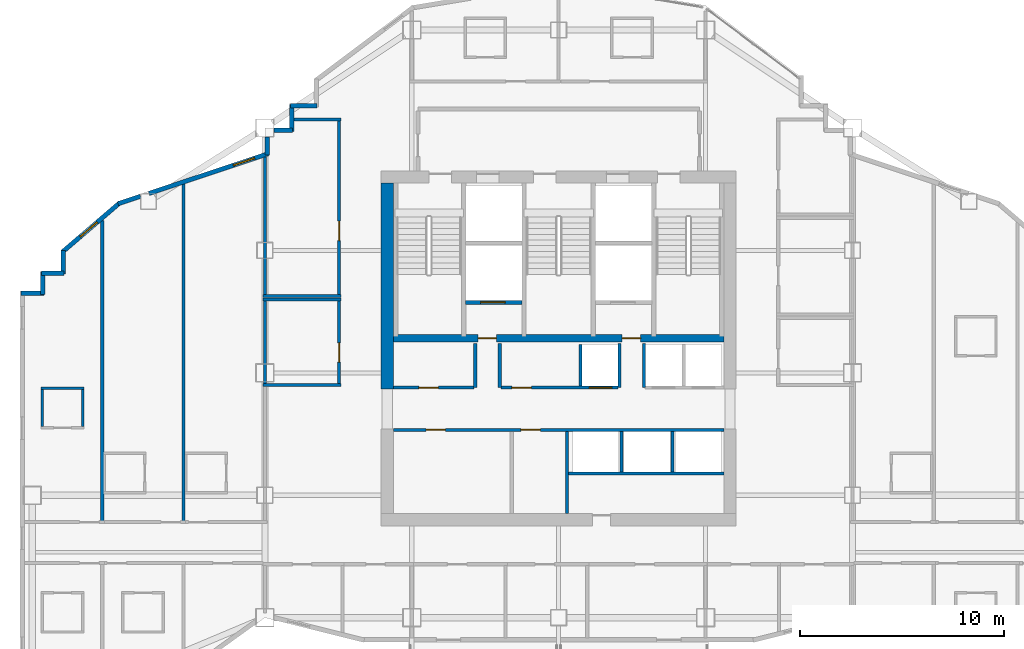
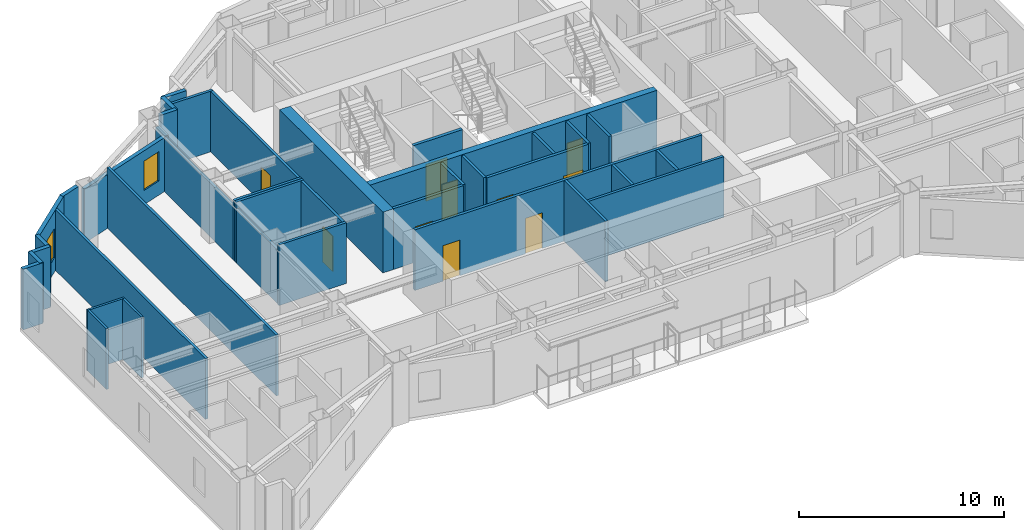
# One storey, part 6 of 11: 39 walls, 10 doors, 2 windows, 12 openings.
"""IFC4 building model written with IfcOpenShell, lengths in metres."""

from ifc_helpers import new_model, si_unit, direction, frame, frame_2d, origin, place, context, subcontext, project, spatial, rectangle, extrude, material, layer, layer_set, type_object, element, fill, save


model = new_model("IFC4")

# Units and contexts
model_context = context("Model", 3, precision=1e-05, world=origin(), true_north=direction((0.0, 1.0)))
body_context = subcontext(model_context, "Body", "Model", "MODEL_VIEW")
ifc_project = project(units=[si_unit("LENGTHUNIT", "METRE"), si_unit("AREAUNIT", "SQUARE_METRE"), si_unit("VOLUMEUNIT", "CUBIC_METRE"), si_unit("PLANEANGLEUNIT", "RADIAN"), si_unit("MASSUNIT", "GRAM", prefix="KILO")], contexts=[model_context])

# Site, building, storey
site_placement = place(None, origin())
site = spatial("IfcSite", under=ifc_project, at=site_placement, CompositionType="ELEMENT")
building_placement = place(site_placement, origin())
building = spatial("IfcBuilding", under=site, at=building_placement, Name="Haolan Belvedere Tower", CompositionType="ELEMENT")
storey_placement = place(building_placement, frame((0.0, 0.0, 191.800048828125)))
storey = spatial("IfcBuildingStorey", under=building, at=storey_placement, Name="L48", CompositionType="ELEMENT", Elevation=191.800048828125)

# Walls
ifc_material_1 = material(Name="Concrete C60/75", Category="concrete")
ifc_layer_1 = layer(ifc_material_1, 0.60009765625, Name="Concrete C60/75")
ifc_layer_set_1 = layer_set([ifc_layer_1], Name="Concrete C60/75")
wall_type_1 = type_object("IfcWallType", Name="WL-CORE-600", PredefinedType="SHEAR", material=ifc_layer_set_1)
wall_1_placement = place(storey_placement, frame((30.0, 32.800048828125, 0.0), z_axis=(0.0, 0.0, 1.0), x_axis=(0.0, 1.0, 0.0)))
element("IfcWall", 1, at=wall_1_placement, inside=storey, type_object=wall_type_1, Name="L48 central core shear wall WN", PredefinedType="SHEAR", context=body_context, shape_type="SweptSolid", body=[
    extrude(rectangle(XDim=10.099853515625, YDim=0.60009765625, at=frame_2d((5.0498046875, 0.0))), origin(), (0.0, 0.0, 1.0), 3.619873046875),
])
ifc_material_2 = material(Name="Precast concrete C40/50", Category="concrete")
ifc_layer_2 = layer(ifc_material_2, 0.219970703125, Name="Precast concrete C40/50")
ifc_layer_set_2 = layer_set([ifc_layer_2], Name="Precast concrete C40/50")
wall_type_2 = type_object("IfcWallType", Name="WL-EXT-220", PredefinedType="SOLIDWALL", material=ifc_layer_set_2)
for number, where, z_axis, x_axis, name in (
    (2, (26.56494140625, 46.68994140625, 0.0), (0.0, 0.0, 1.0), (-1.0, 0.0, 0.0), "L48 pale-metal exterior spandrel wall 25.1"),
    (3, (25.31005859375, 46.7451171875, 0.0), (0.0, 0.0, 1.0), (0.0, -1.0, 0.0), "L48 pale-metal exterior spandrel wall 26.1"),
):
    element("IfcWall", number, at=place(storey_placement, frame(where, z_axis=z_axis, x_axis=x_axis)), inside=storey, type_object=wall_type_2, Name=name, PredefinedType="SOLIDWALL", context=body_context, shape_type="SweptSolid", body=[
        extrude(rectangle(XDim=1.31005859375, YDim=0.219970703125, at=frame_2d((0.655029296875, 0.0))), origin(), (0.0, 0.0, 1.0), 3.619873046875),
    ])
wall_2_placement = place(storey_placement, frame((25.364990234375, 45.489990234375, 0.0), z_axis=(0.0, 0.0, 1.0), x_axis=(-1.0, 0.0, 0.0)))
element("IfcWall", 4, at=wall_2_placement, inside=storey, type_object=wall_type_2, Name="L48 pale-metal exterior spandrel wall 27.1", PredefinedType="SOLIDWALL", context=body_context, shape_type="SweptSolid", body=[
    extrude(rectangle(XDim=0.923095703125, YDim=0.219970703125, at=frame_2d((0.46142578125, 0.0))), origin(), (0.0, 0.0, 1.0), 3.619873046875),
])
wall_3_placement = place(storey_placement, frame((24.110107421875, 45.157958984375, 0.0), z_axis=(0.0, 0.0, 1.0), x_axis=(0.0, -1.0, 0.0)))
element("IfcWall", 5, at=wall_3_placement, inside=storey, type_object=wall_type_2, Name="L48 pale-metal exterior spandrel wall 28.1", PredefinedType="SOLIDWALL", context=body_context, shape_type="SweptSolid", body=[
    extrude(rectangle(XDim=0.892333984375, YDim=0.219970703125, at=frame_2d((0.4462890625, 0.0))), origin(), (0.0, 0.0, 1.0), 3.21484375),
])

# Wall, opening, window
wall_4_placement = place(storey_placement, frame((24.162109375, 44.338134765625, 0.0), z_axis=(0.0, 0.0, 1.0), x_axis=(-0.948687265055, -0.316215864755, 0.0)))
wall_4 = element("IfcWall", 6, at=wall_4_placement, inside=storey, type_object=wall_type_2, Name="L48 pale-metal exterior spandrel wall 29.1", PredefinedType="SOLIDWALL", context=body_context, shape_type="SweptSolid", body=[
    extrude(rectangle(XDim=6.154052734375, YDim=0.219970703125, at=frame_2d((3.0771484375, 0.0))), origin(), (0.0, 0.0, 1.0), 3.21484375),
])
opening_1_placement = place(wall_4_placement, frame((0.699951171875, 0.0, 0.85009765625)))
opening_1 = element("IfcOpeningElement", 7, at=opening_1_placement, cuts=wall_4, Name="Opening W-03", PredefinedType="OPENING", context=body_context, shape_type="SweptSolid", body=[
    extrude(rectangle(XDim=1.10009765625, YDim=1.75, at=frame_2d((0.550048828125, 0.875))), frame((0.0, 0.119873046875, 0.0), z_axis=(0.0, -1.0, 0.0), x_axis=(1.0, 0.0, 0.0)), (0.0, 0.0, 1.0), 0.239990234375),
])
ifc_material_3 = material(Name="Anodised aluminium 6063-T6 and Low-E glass", Category="aluminium")
window_type = type_object("IfcWindowType", Name="WN-DECO-Z3", PartitioningType="SINGLE_PANEL", PredefinedType="WINDOW", material=ifc_material_3)
window_1_placement = place(opening_1_placement, origin())
window_1 = element("IfcWindow", 8, at=window_1_placement, inside=storey, type_object=window_type, Name="L48 Art Deco chevron window 1", OverallHeight=1.75, OverallWidth=1.10009765625, PartitioningType="SINGLE_PANEL", PredefinedType="WINDOW", context=body_context, shape_type="SweptSolid", body=[
    extrude(rectangle(XDim=1.10009765625, YDim=1.75, at=frame_2d((0.550048828125, 0.875))), frame((0.0, 0.030029296875, 0.0), z_axis=(0.0, -1.0, 0.0), x_axis=(1.0, 0.0, 0.0)), (0.0, 0.0, 1.0), 0.06005859375),
])
fill(opening_1, window_1)

# Wall
wall_5_placement = place(storey_placement, frame((17.907958984375, 42.25341796875, 0.0), z_axis=(0.0, 0.0, 1.0), x_axis=(-0.948662335685, -0.316290646166, 0.0)))
element("IfcWall", 9, at=wall_5_placement, inside=storey, type_object=wall_type_2, Name="L48 pale-metal exterior spandrel wall 29.2", PredefinedType="SOLIDWALL", context=body_context, shape_type="SweptSolid", body=[
    extrude(rectangle(XDim=1.164794921875, YDim=0.219970703125, at=frame_2d((0.58251953125, 0.0))), origin(), (0.0, 0.0, 1.0), 3.619873046875),
])

# Wall, opening, window
wall_6_placement = place(storey_placement, frame((16.89697265625, 41.938232421875, 0.0), z_axis=(0.0, 0.0, 1.0), x_axis=(-0.759279729622, -0.650764390686, 0.0)))
wall_6 = element("IfcWall", 10, at=wall_6_placement, inside=storey, type_object=wall_type_2, Name="L48 pale-metal exterior spandrel wall 30.1", PredefinedType="SOLIDWALL", context=body_context, shape_type="SweptSolid", body=[
    extrude(rectangle(XDim=3.725830078125, YDim=0.219970703125, at=frame_2d((1.86279296875, 0.0))), origin(), (0.0, 0.0, 1.0), 3.619873046875),
])
opening_2_placement = place(wall_6_placement, frame((1.46435546875, 0.0, 0.85009765625)))
opening_2 = element("IfcOpeningElement", 11, at=opening_2_placement, cuts=wall_6, Name="Opening W-03", PredefinedType="OPENING", context=body_context, shape_type="SweptSolid", body=[
    extrude(rectangle(XDim=1.10009765625, YDim=1.75, at=frame_2d((0.550048828125, 0.875))), frame((0.0, 0.119873046875, 0.0), z_axis=(0.0, -1.0, 0.0), x_axis=(1.0, 0.0, 0.0)), (0.0, 0.0, 1.0), 0.239990234375),
])
window_2_placement = place(opening_2_placement, origin())
window_2 = element("IfcWindow", 12, at=window_2_placement, inside=storey, type_object=window_type, Name="L48 Art Deco chevron window 1", OverallHeight=1.75, OverallWidth=1.10009765625, PartitioningType="SINGLE_PANEL", PredefinedType="WINDOW", context=body_context, shape_type="SweptSolid", body=[
    extrude(rectangle(XDim=1.10009765625, YDim=1.75, at=frame_2d((0.550048828125, 0.875))), frame((0.0, 0.030029296875, 0.0), z_axis=(0.0, -1.0, 0.0), x_axis=(1.0, 0.0, 0.0)), (0.0, 0.0, 1.0), 0.06005859375),
])
fill(opening_2, window_2)

# Walls
wall_7_placement = place(storey_placement, frame((14.110107421875, 39.6044921875, 0.0), z_axis=(0.0, 0.0, 1.0), x_axis=(0.0, -1.0, 0.0)))
element("IfcWall", 13, at=wall_7_placement, inside=storey, type_object=wall_type_2, Name="L48 pale-metal exterior spandrel wall 31.1", PredefinedType="SOLIDWALL", context=body_context, shape_type="SweptSolid", body=[
    extrude(rectangle(XDim=1.16943359375, YDim=0.219970703125, at=frame_2d((0.584716796875, 0.0))), origin(), (0.0, 0.0, 1.0), 3.619873046875),
])
wall_8_placement = place(storey_placement, frame((14.1650390625, 38.489990234375, 0.0), z_axis=(0.0, 0.0, 1.0), x_axis=(-1.0, 0.0, 0.0)))
element("IfcWall", 14, at=wall_8_placement, inside=storey, type_object=wall_type_2, Name="L48 pale-metal exterior spandrel wall 32.1", PredefinedType="SOLIDWALL", context=body_context, shape_type="SweptSolid", body=[
    extrude(rectangle(XDim=1.110107421875, YDim=0.219970703125, at=frame_2d((0.55517578125, 0.0))), origin(), (0.0, 0.0, 1.0), 3.619873046875),
])
wall_9_placement = place(storey_placement, frame((13.110107421875, 38.544921875, 0.0), z_axis=(0.0, 0.0, 1.0), x_axis=(0.0, -1.0, 0.0)))
element("IfcWall", 15, at=wall_9_placement, inside=storey, type_object=wall_type_2, Name="L48 pale-metal exterior spandrel wall 33.1", PredefinedType="SOLIDWALL", context=body_context, shape_type="SweptSolid", body=[
    extrude(rectangle(XDim=1.10986328125, YDim=0.219970703125, at=frame_2d((0.554931640625, 0.0))), origin(), (0.0, 0.0, 1.0), 3.619873046875),
])
wall_10_placement = place(storey_placement, frame((13.1650390625, 37.489990234375, 0.0), z_axis=(0.0, 0.0, 1.0), x_axis=(-1.0, 0.0, 0.0)))
element("IfcWall", 16, at=wall_10_placement, inside=storey, type_object=wall_type_2, Name="L48 pale-metal exterior spandrel wall 34.1", PredefinedType="SOLIDWALL", context=body_context, shape_type="SweptSolid", body=[
    extrude(rectangle(XDim=1.110107421875, YDim=0.219970703125, at=frame_2d((0.55517578125, 0.0))), origin(), (0.0, 0.0, 1.0), 3.619873046875),
])
ifc_material_4 = material(Name="Double gypsum acoustic stud partition", Category="masonry")
ifc_layer_3 = layer(ifc_material_4, 0.14990234375, Name="Double gypsum acoustic stud partition")
ifc_layer_set_3 = layer_set([ifc_layer_3], Name="Double gypsum acoustic stud partition")
wall_type_3 = type_object("IfcWallType", Name="WL-PART-150", PredefinedType="PARTITIONING", material=ifc_layer_set_3)
wall_11_placement = place(storey_placement, frame((38.860107421875, 28.659912109375, 0.0), z_axis=(0.0, 0.0, 1.0), x_axis=(1.0, 0.0, 0.0)))
element("IfcWall", 17, at=wall_11_placement, inside=storey, type_object=wall_type_3, Name="L48 interior partition IW-L48-SSTRIP-E", PredefinedType="PARTITIONING", context=body_context, shape_type="SweptSolid", body=[
    extrude(rectangle(XDim=7.639892578125, YDim=0.14990234375, at=frame_2d((3.81982421875, 0.0))), origin(), (0.0, 0.0, 1.0), 3.619873046875),
])
for number, where, z_axis, x_axis, name in (
    (18, (23.919921875, 37.199951171875, 0.0), (0.0, 0.0, 1.0), (1.0, 0.0, 0.0), "L48 interior partition IW-L48-HSK-N"),
    (19, (23.919921875, 33.0, 0.0), (0.0, 0.0, 1.0), (1.0, 0.0, 0.0), "L48 interior partition IW-L48-HSK-S"),
):
    element("IfcWall", number, at=place(storey_placement, frame(where, z_axis=z_axis, x_axis=x_axis)), inside=storey, type_object=wall_type_3, Name=name, PredefinedType="PARTITIONING", context=body_context, shape_type="SweptSolid", body=[
        extrude(rectangle(XDim=3.800048828125, YDim=0.14990234375, at=frame_2d((1.89990234375, 0.0))), origin(), (0.0, 0.0, 1.0), 3.619873046875),
    ])
wall_12_placement = place(storey_placement, frame((24.0, 33.06005859375, 0.0), z_axis=(0.0, 0.0, 1.0), x_axis=(0.0, 1.0, 0.0)))
element("IfcWall", 20, at=wall_12_placement, inside=storey, type_object=wall_type_3, Name="L48 interior partition IW-L48-HSK-W", PredefinedType="PARTITIONING", context=body_context, shape_type="SweptSolid", body=[
    extrude(rectangle(XDim=4.079833984375, YDim=0.14990234375, at=frame_2d((2.0400390625, 0.0))), origin(), (0.0, 0.0, 1.0), 3.21484375),
])

# Wall, opening, door
wall_13_placement = place(storey_placement, frame((27.639892578125, 33.06005859375, 0.0), z_axis=(0.0, 0.0, 1.0), x_axis=(0.0, 1.0, 0.0)))
wall_13 = element("IfcWall", 21, at=wall_13_placement, inside=storey, type_object=wall_type_3, Name="L48 interior partition IW-L48-HSK-E", PredefinedType="PARTITIONING", context=body_context, shape_type="SweptSolid", body=[
    extrude(rectangle(XDim=4.079833984375, YDim=0.14990234375, at=frame_2d((2.0400390625, 0.0))), origin(), (0.0, 0.0, 1.0), 3.619873046875),
])
opening_3_placement = place(wall_13_placement, frame((2.010009765625, 0.0, 0.0), z_axis=(0.0, 0.0, 1.0), x_axis=(-1.0, 0.0, 0.0)))
opening_3 = element("IfcOpeningElement", 22, at=opening_3_placement, cuts=wall_13, Name="Opening ID-03", PredefinedType="OPENING", context=body_context, shape_type="SweptSolid", body=[
    extrude(rectangle(XDim=0.949951171875, YDim=2.1201171875, at=frame_2d((0.47509765625, 1.06005859375))), frame((0.0, 0.0849609375, 0.0), z_axis=(0.0, -1.0, 0.0), x_axis=(1.0, 0.0, 0.0)), (0.0, 0.0, 1.0), 0.169921875),
])
ifc_material_5 = material(Name="Painted solid-core timber", Category="wood")
door_type_1 = type_object("IfcDoorType", Name="DR-INT-950", OperationType="NOTDEFINED", PredefinedType="DOOR", material=ifc_material_5)
door_1_placement = place(opening_3_placement, origin())
door_1 = element("IfcDoor", 23, at=door_1_placement, inside=storey, type_object=door_type_1, Name="L48 door ID-L48-HSK", OperationType="SINGLE_SWING_LEFT", OverallHeight=2.1201171875, OverallWidth=0.949951171875, PredefinedType="DOOR", context=body_context, shape_type="SweptSolid", body=[
    extrude(rectangle(XDim=0.949951171875, YDim=2.1201171875, at=frame_2d((0.47509765625, 1.06005859375))), frame((0.0, 0.02490234375, 0.0), z_axis=(0.0, -1.0, 0.0), x_axis=(1.0, 0.0, 0.0)), (0.0, 0.0, 1.0), 0.050048828125),
])
fill(opening_3, door_1)

# Walls
wall_14_placement = place(storey_placement, frame((25.412109375, 46.02001953125, 0.0), z_axis=(0.0, 0.0, 1.0), x_axis=(1.0, 0.0, 0.0)))
element("IfcWall", 24, at=wall_14_placement, inside=storey, type_object=wall_type_3, Name="L48 interior partition IW-L48-MTG-N", PredefinedType="PARTITIONING", context=body_context, shape_type="SweptSolid", body=[
    extrude(rectangle(XDim=2.307861328125, YDim=0.14990234375, at=frame_2d((1.15380859375, 0.0))), origin(), (0.0, 0.0, 1.0), 3.619873046875),
])
wall_15_placement = place(storey_placement, frame((23.919921875, 37.360107421875, 0.0), z_axis=(0.0, 0.0, 1.0), x_axis=(1.0, 0.0, 0.0)))
element("IfcWall", 25, at=wall_15_placement, inside=storey, type_object=wall_type_3, Name="L48 interior partition IW-L48-MTG-S", PredefinedType="PARTITIONING", context=body_context, shape_type="SweptSolid", body=[
    extrude(rectangle(XDim=3.800048828125, YDim=0.14990234375, at=frame_2d((1.89990234375, 0.0))), origin(), (0.0, 0.0, 1.0), 3.619873046875),
])
wall_16_placement = place(storey_placement, frame((24.0, 37.419921875, 0.0), z_axis=(0.0, 0.0, 1.0), x_axis=(0.0, 1.0, 0.0)))
element("IfcWall", 26, at=wall_16_placement, inside=storey, type_object=wall_type_3, Name="L48 interior partition IW-L48-MTG-W", PredefinedType="PARTITIONING", context=body_context, shape_type="SweptSolid", body=[
    extrude(rectangle(XDim=6.756591796875, YDim=0.14990234375, at=frame_2d((3.37841796875, 0.0))), origin(), (0.0, 0.0, 1.0), 3.21484375),
])

# Wall, opening, door
wall_17_placement = place(storey_placement, frame((27.639892578125, 37.419921875, 0.0), z_axis=(0.0, 0.0, 1.0), x_axis=(0.0, 1.0, 0.0)))
wall_17 = element("IfcWall", 27, at=wall_17_placement, inside=storey, type_object=wall_type_3, Name="L48 interior partition IW-L48-MTG-E", PredefinedType="PARTITIONING", context=body_context, shape_type="SweptSolid", body=[
    extrude(rectangle(XDim=8.5400390625, YDim=0.14990234375, at=frame_2d((4.27001953125, 0.0))), origin(), (0.0, 0.0, 1.0), 3.619873046875),
])
opening_4_placement = place(wall_17_placement, frame((3.60986328125, 0.0, 0.0), z_axis=(0.0, 0.0, 1.0), x_axis=(-1.0, 0.0, 0.0)))
opening_4 = element("IfcOpeningElement", 28, at=opening_4_placement, cuts=wall_17, Name="Opening ID-03", PredefinedType="OPENING", context=body_context, shape_type="SweptSolid", body=[
    extrude(rectangle(XDim=0.949951171875, YDim=2.1201171875, at=frame_2d((0.47509765625, 1.06005859375))), frame((0.0, 0.0849609375, 0.0), z_axis=(0.0, -1.0, 0.0), x_axis=(1.0, 0.0, 0.0)), (0.0, 0.0, 1.0), 0.169921875),
])
door_2_placement = place(opening_4_placement, origin())
door_2 = element("IfcDoor", 29, at=door_2_placement, inside=storey, type_object=door_type_1, Name="L48 door ID-L48-MTG", OperationType="SINGLE_SWING_RIGHT", OverallHeight=2.1201171875, OverallWidth=0.949951171875, PredefinedType="DOOR", context=body_context, shape_type="SweptSolid", body=[
    extrude(rectangle(XDim=0.949951171875, YDim=2.1201171875, at=frame_2d((0.47509765625, 1.06005859375))), frame((0.0, 0.02490234375, 0.0), z_axis=(0.0, -1.0, 0.0), x_axis=(1.0, 0.0, 0.0)), (0.0, 0.0, 1.0), 0.050048828125),
])
fill(opening_4, door_2)

# Walls
wall_18_placement = place(storey_placement, frame((16.030029296875, 26.340087890625, 0.0), z_axis=(0.0, 0.0, 1.0), x_axis=(0.0, 1.0, 0.0)))
element("IfcWall", 30, at=wall_18_placement, inside=storey, type_object=wall_type_3, Name="L48 interior partition IW-L48-T2N1-E", PredefinedType="PARTITIONING", context=body_context, shape_type="SweptSolid", body=[
    extrude(rectangle(XDim=14.720703125, YDim=0.14990234375, at=frame_2d((7.3603515625, 0.0))), origin(), (0.0, 0.0, 1.0), 3.619873046875),
])
wall_19_placement = place(storey_placement, frame((20.02001953125, 26.340087890625, 0.0), z_axis=(0.0, 0.0, 1.0), x_axis=(0.0, 1.0, 0.0)))
element("IfcWall", 31, at=wall_19_placement, inside=storey, type_object=wall_type_3, Name="L48 interior partition IW-L48-T2N2-E", PredefinedType="PARTITIONING", context=body_context, shape_type="SweptSolid", body=[
    extrude(rectangle(XDim=16.509765625, YDim=0.14990234375, at=frame_2d((8.2548828125, 0.0))), origin(), (0.0, 0.0, 1.0), 3.619873046875),
])
ifc_material_6 = material(Name="Gypsum fire shaftwall assembly", Category="masonry")
ifc_layer_4 = layer(ifc_material_6, 0.1650390625, Name="Gypsum fire shaftwall assembly")
ifc_layer_set_4 = layer_set([ifc_layer_4], Name="Gypsum fire shaftwall assembly")
wall_type_4 = type_object("IfcWallType", Name="WL-SHAFT-160", PredefinedType="SOLIDWALL", material=ifc_layer_set_4)
for number, where, z_axis, x_axis, name in (
    (32, (34.31005859375, 32.8798828125, 0.0), (0.0, 0.0, 1.0), (0.0, 1.0, 0.0), "L48 interior partition IW-L48-SVP-W-SV1"),
    (33, (35.510009765625, 32.8798828125, 0.0), (0.0, 0.0, 1.0), (0.0, 1.0, 0.0), "L48 interior partition IW-L48-SVP-E-SV1"),
    (34, (41.3701171875, 32.8798828125, 0.0), (0.0, 0.0, 1.0), (0.0, 1.0, 0.0), "L48 interior partition IW-L48-SVP-W-SV2"),
    (35, (42.570068359375, 32.8798828125, 0.0), (0.0, 0.0, 1.0), (0.0, 1.0, 0.0), "L48 interior partition IW-L48-SVP-E-SV2"),
):
    element("IfcWall", number, at=place(storey_placement, frame(where, z_axis=z_axis, x_axis=x_axis)), inside=storey, type_object=wall_type_4, Name=name, PredefinedType="SOLIDWALL", context=body_context, shape_type="SweptSolid", body=[
        extrude(rectangle(XDim=2.170166015625, YDim=0.14990234375, at=frame_2d((1.0849609375, 0.0))), origin(), (0.0, 0.0, 1.0), 3.619873046875),
    ])

# Wall, opening, door
wall_20_placement = place(storey_placement, frame((30.300048828125, 32.8798828125, 0.0), z_axis=(0.0, 0.0, 1.0), x_axis=(1.0, 0.0, 0.0)))
wall_20 = element("IfcWall", 36, at=wall_20_placement, inside=storey, type_object=wall_type_4, Name="L48 interior partition IW-L48-ROW-PN1", PredefinedType="SOLIDWALL", context=body_context, shape_type="SweptSolid", body=[
    extrude(rectangle(XDim=3.949951171875, YDim=0.159912109375, at=frame_2d((1.97509765625, 0.0))), origin(), (0.0, 0.0, 1.0), 3.619873046875),
])
opening_5_placement = place(wall_20_placement, frame((2.199951171875, 0.0, 0.0), z_axis=(0.0, 0.0, 1.0), x_axis=(-1.0, 0.0, 0.0)))
opening_5 = element("IfcOpeningElement", 37, at=opening_5_placement, cuts=wall_20, Name="Opening ID-03", PredefinedType="OPENING", context=body_context, shape_type="SweptSolid", body=[
    extrude(rectangle(XDim=0.949951171875, YDim=2.1201171875, at=frame_2d((0.47509765625, 1.06005859375))), frame((0.0, 0.08984375, 0.0), z_axis=(0.0, -1.0, 0.0), x_axis=(1.0, 0.0, 0.0)), (0.0, 0.0, 1.0), 0.179931640625),
])
door_3_placement = place(opening_5_placement, origin())
door_3 = element("IfcDoor", 38, at=door_3_placement, inside=storey, type_object=door_type_1, Name="L48 door ID-L48-CD-RPLW", OperationType="SINGLE_SWING_LEFT", OverallHeight=2.1201171875, OverallWidth=0.949951171875, PredefinedType="DOOR", context=body_context, shape_type="SweptSolid", body=[
    extrude(rectangle(XDim=0.949951171875, YDim=2.1201171875, at=frame_2d((0.47509765625, 1.06005859375))), frame((0.0, 0.02490234375, 0.0), z_axis=(0.0, -1.0, 0.0), x_axis=(1.0, 0.0, 0.0)), (0.0, 0.0, 1.0), 0.050048828125),
])
fill(opening_5, door_3)

# Wall, openings, doors
wall_21_placement = place(storey_placement, frame((35.570068359375, 32.8798828125, 0.0), z_axis=(0.0, 0.0, 1.0), x_axis=(1.0, 0.0, 0.0)))
wall_21 = element("IfcWall", 39, at=wall_21_placement, inside=storey, type_object=wall_type_4, Name="L48 interior partition IW-L48-ROW-PN2", PredefinedType="SOLIDWALL", context=body_context, shape_type="SweptSolid", body=[
    extrude(rectangle(XDim=5.739990234375, YDim=0.159912109375, at=frame_2d((2.8701171875, 0.0))), origin(), (0.0, 0.0, 1.0), 3.619873046875),
])
opening_6_placement = place(wall_21_placement, frame((1.489990234375, 0.0, 0.0), z_axis=(0.0, 0.0, 1.0), x_axis=(-1.0, 0.0, 0.0)))
opening_6 = element("IfcOpeningElement", 40, at=opening_6_placement, cuts=wall_21, Name="Opening ID-03", PredefinedType="OPENING", context=body_context, shape_type="SweptSolid", body=[
    extrude(rectangle(XDim=0.949951171875, YDim=2.1201171875, at=frame_2d((0.47509765625, 1.06005859375))), frame((0.0, 0.08984375, 0.0), z_axis=(0.0, -1.0, 0.0), x_axis=(1.0, 0.0, 0.0)), (0.0, 0.0, 1.0), 0.179931640625),
])
opening_7_placement = place(wall_21_placement, frame((5.43017578125, 0.0, 0.0), z_axis=(0.0, 0.0, 1.0), x_axis=(-1.0, 0.0, 0.0)))
opening_7 = element("IfcOpeningElement", 41, at=opening_7_placement, cuts=wall_21, Name="Opening LD-01", PredefinedType="OPENING", context=body_context, shape_type="SweptSolid", body=[
    extrude(rectangle(XDim=1.10009765625, YDim=2.199951171875, at=frame_2d((0.550048828125, 1.10009765625))), frame((0.0, 0.08984375, 0.0), z_axis=(0.0, -1.0, 0.0), x_axis=(1.0, 0.0, 0.0)), (0.0, 0.0, 1.0), 0.179931640625),
])
door_4_placement = place(opening_6_placement, origin())
door_4 = element("IfcDoor", 42, at=door_4_placement, inside=storey, type_object=door_type_1, Name="L48 door ID-L48-CD-RPLE", OperationType="SINGLE_SWING_RIGHT", OverallHeight=2.1201171875, OverallWidth=0.949951171875, PredefinedType="DOOR", context=body_context, shape_type="SweptSolid", body=[
    extrude(rectangle(XDim=0.949951171875, YDim=2.1201171875, at=frame_2d((0.47509765625, 1.06005859375))), frame((0.0, 0.02490234375, 0.0), z_axis=(0.0, -1.0, 0.0), x_axis=(1.0, 0.0, 0.0)), (0.0, 0.0, 1.0), 0.050048828125),
])
fill(opening_6, door_4)
ifc_material_7 = material(Name="Brushed champagne stainless steel 316L", Category="steel")
door_type_2 = type_object("IfcDoorType", Name="DR-LIFT-1100", OperationType="SLIDING_TO_LEFT", PredefinedType="DOOR", material=ifc_material_7)
door_5_placement = place(opening_7_placement, origin())
door_5 = element("IfcDoor", 43, at=door_5_placement, inside=storey, type_object=door_type_2, Name="L48 door ID-L48-LD-PH1", OperationType="SLIDING_TO_RIGHT", OverallHeight=2.199951171875, OverallWidth=1.10009765625, PredefinedType="DOOR", context=body_context, shape_type="SweptSolid", body=[
    extrude(rectangle(XDim=1.10009765625, YDim=2.199951171875, at=frame_2d((0.550048828125, 1.10009765625))), frame((0.0, 0.02490234375, 0.0), z_axis=(0.0, -1.0, 0.0), x_axis=(1.0, 0.0, 0.0)), (0.0, 0.0, 1.0), 0.050048828125),
])
fill(opening_7, door_5)

# Wall
wall_22_placement = place(storey_placement, frame((39.469970703125, 32.949951171875, 0.0), z_axis=(0.0, 0.0, 1.0), x_axis=(0.0, 1.0, 0.0)))
element("IfcWall", 44, at=wall_22_placement, inside=storey, type_object=wall_type_4, Name="L48 interior partition IW-L48-DIV-PL4R", PredefinedType="SOLIDWALL", context=body_context, shape_type="SweptSolid", body=[
    extrude(rectangle(XDim=2.050048828125, YDim=0.14990234375, at=frame_2d((1.02490234375, 0.0))), origin(), (0.0, 0.0, 1.0), 3.619873046875),
])

# Wall, openings, doors
wall_23_placement = place(storey_placement, frame((30.300048828125, 30.800048828125, 0.0), z_axis=(0.0, 0.0, 1.0), x_axis=(1.0, 0.0, 0.0)))
wall_23 = element("IfcWall", 45, at=wall_23_placement, inside=storey, type_object=wall_type_4, Name="L48 interior partition IW-L48-ROW-PS", PredefinedType="SOLIDWALL", context=body_context, shape_type="SweptSolid", body=[
    extrude(rectangle(XDim=16.199951171875, YDim=0.159912109375, at=frame_2d((8.10009765625, 0.0))), origin(), (0.0, 0.0, 1.0), 3.619873046875),
])
opening_8_placement = place(wall_23_placement, frame((1.60009765625, 0.0, 0.0)))
opening_8 = element("IfcOpeningElement", 46, at=opening_8_placement, cuts=wall_23, Name="Opening ID-03", PredefinedType="OPENING", context=body_context, shape_type="SweptSolid", body=[
    extrude(rectangle(XDim=0.949951171875, YDim=2.1201171875, at=frame_2d((0.47509765625, 1.06005859375))), frame((0.0, 0.08984375, 0.0), z_axis=(0.0, -1.0, 0.0), x_axis=(1.0, 0.0, 0.0)), (0.0, 0.0, 1.0), 0.179931640625),
])
opening_9_placement = place(wall_23_placement, frame((6.25, 0.0, 0.0)))
opening_9 = element("IfcOpeningElement", 47, at=opening_9_placement, cuts=wall_23, Name="Opening ID-03", PredefinedType="OPENING", context=body_context, shape_type="SweptSolid", body=[
    extrude(rectangle(XDim=0.949951171875, YDim=2.1201171875, at=frame_2d((0.47509765625, 1.06005859375))), frame((0.0, 0.08984375, 0.0), z_axis=(0.0, -1.0, 0.0), x_axis=(1.0, 0.0, 0.0)), (0.0, 0.0, 1.0), 0.179931640625),
])
door_6_placement = place(opening_8_placement, origin())
door_6 = element("IfcDoor", 48, at=door_6_placement, inside=storey, type_object=door_type_1, Name="L48 door ID-L48-CD-RPMA", OperationType="SINGLE_SWING_LEFT", OverallHeight=2.1201171875, OverallWidth=0.949951171875, PredefinedType="DOOR", context=body_context, shape_type="SweptSolid", body=[
    extrude(rectangle(XDim=0.949951171875, YDim=2.1201171875, at=frame_2d((0.47509765625, 1.06005859375))), frame((0.0, 0.02490234375, 0.0), z_axis=(0.0, -1.0, 0.0), x_axis=(1.0, 0.0, 0.0)), (0.0, 0.0, 1.0), 0.050048828125),
])
fill(opening_8, door_6)
door_7_placement = place(opening_9_placement, origin())
door_7 = element("IfcDoor", 49, at=door_7_placement, inside=storey, type_object=door_type_1, Name="L48 door ID-L48-CD-RPMB", OperationType="SINGLE_SWING_RIGHT", OverallHeight=2.1201171875, OverallWidth=0.949951171875, PredefinedType="DOOR", context=body_context, shape_type="SweptSolid", body=[
    extrude(rectangle(XDim=0.949951171875, YDim=2.1201171875, at=frame_2d((0.47509765625, 1.06005859375))), frame((0.0, 0.02490234375, 0.0), z_axis=(0.0, -1.0, 0.0), x_axis=(1.0, 0.0, 0.0)), (0.0, 0.0, 1.0), 0.050048828125),
])
fill(opening_9, door_7)

# Walls
wall_24_placement = place(storey_placement, frame((38.800048828125, 26.7099609375, 0.0), z_axis=(0.0, 0.0, 1.0), x_axis=(0.0, 1.0, 0.0)))
element("IfcWall", 50, at=wall_24_placement, inside=storey, type_object=wall_type_4, Name="L48 interior partition IW-L48-DIV-PM-OB", PredefinedType="SOLIDWALL", context=body_context, shape_type="SweptSolid", body=[
    extrude(rectangle(XDim=4.025146484375, YDim=0.14990234375, at=frame_2d((2.0126953125, 0.0))), origin(), (0.0, 0.0, 1.0), 3.619873046875),
])
for number, where, z_axis, x_axis, name in (
    (51, (41.469970703125, 28.75, 0.0), (0.0, 0.0, 1.0), (0.0, 1.0, 0.0), "L48 interior partition IW-L48-DIV-OB1"),
    (52, (43.97998046875, 28.75, 0.0), (0.0, 0.0, 1.0), (0.0, 1.0, 0.0), "L48 interior partition IW-L48-DIV-OB2"),
):
    element("IfcWall", number, at=place(storey_placement, frame(where, z_axis=z_axis, x_axis=x_axis)), inside=storey, type_object=wall_type_4, Name=name, PredefinedType="SOLIDWALL", context=body_context, shape_type="SweptSolid", body=[
        extrude(rectangle(XDim=1.985107421875, YDim=0.14990234375, at=frame_2d((0.99267578125, 0.0))), origin(), (0.0, 0.0, 1.0), 3.619873046875),
    ])

# Wall, opening, door
ifc_layer_5 = layer(ifc_material_2, 0.179931640625, Name="Precast concrete C40/50")
ifc_layer_set_5 = layer_set([ifc_layer_5], Name="Precast concrete C40/50")
wall_type_5 = type_object("IfcWallType", Name="WL-SHAFT-180", PredefinedType="SOLIDWALL", material=ifc_layer_set_5)
wall_25_placement = place(storey_placement, frame((33.8349609375, 37.050048828125, 0.0), z_axis=(0.0, 0.0, 1.0), x_axis=(1.0, 0.0, 0.0)))
wall_25 = element("IfcWall", 53, at=wall_25_placement, inside=storey, type_object=wall_type_5, Name="L48 interior partition IW-L48-SV1-S", PredefinedType="SOLIDWALL", context=body_context, shape_type="SweptSolid", body=[
    extrude(rectangle(XDim=2.77001953125, YDim=0.179931640625, at=frame_2d((1.385009765625, 0.0))), origin(), (0.0, 0.0, 1.0), 3.619873046875),
])
opening_10_placement = place(wall_25_placement, frame((1.945068359375, 0.0, 0.0), z_axis=(0.0, 0.0, 1.0), x_axis=(-1.0, 0.0, 0.0)))
opening_10 = element("IfcOpeningElement", 54, at=opening_10_placement, cuts=wall_25, Name="Opening LD-02", PredefinedType="OPENING", context=body_context, shape_type="SweptSolid", body=[
    extrude(rectangle(XDim=1.199951171875, YDim=2.199951171875, at=frame_2d((0.60009765625, 1.10009765625))), frame((0.0, 0.099853515625, 0.0), z_axis=(0.0, -1.0, 0.0), x_axis=(1.0, 0.0, 0.0)), (0.0, 0.0, 1.0), 0.199951171875),
])
door_type_3 = type_object("IfcDoorType", Name="DR-LIFT-1200", OperationType="SLIDING_TO_RIGHT", PredefinedType="DOOR", material=ifc_material_7)
door_8_placement = place(opening_10_placement, origin())
door_8 = element("IfcDoor", 55, at=door_8_placement, inside=storey, type_object=door_type_3, Name="L48 door ID-L48-LD-SV1", OperationType="SLIDING_TO_RIGHT", OverallHeight=2.199951171875, OverallWidth=1.199951171875, PredefinedType="DOOR", context=body_context, shape_type="SweptSolid", body=[
    extrude(rectangle(XDim=1.199951171875, YDim=2.199951171875, at=frame_2d((0.60009765625, 1.10009765625))), frame((0.0, 0.02490234375, 0.0), z_axis=(0.0, -1.0, 0.0), x_axis=(1.0, 0.0, 0.0)), (0.0, 0.0, 1.0), 0.050048828125),
])
fill(opening_10, door_8)

# Wall, openings, doors
ifc_layer_6 = layer(ifc_material_1, 0.360107421875, Name="Concrete C60/75")
ifc_layer_set_6 = layer_set([ifc_layer_6], Name="Concrete C60/75")
wall_type_6 = type_object("IfcWallType", Name="WL-WEB-350", PredefinedType="SHEAR", material=ifc_layer_set_6)
wall_26_placement = place(storey_placement, frame((30.300048828125, 35.2900390625, 0.0), z_axis=(0.0, 0.0, 1.0), x_axis=(1.0, 0.0, 0.0)))
wall_26 = element("IfcWall", 56, at=wall_26_placement, inside=storey, type_object=wall_type_6, Name="L48 central core internal shear web", PredefinedType="SHEAR", context=body_context, shape_type="SweptSolid", body=[
    extrude(rectangle(XDim=16.199951171875, YDim=0.360107421875, at=frame_2d((8.10009765625, 0.0))), origin(), (0.0, 0.0, 1.0), 3.619873046875),
])
opening_11_placement = place(wall_26_placement, frame((5.0498046875, 0.0, 0.0), z_axis=(0.0, 0.0, 1.0), x_axis=(-1.0, 0.0, 0.0)))
opening_11 = element("IfcOpeningElement", 57, at=opening_11_placement, cuts=wall_26, Name="Opening FD-05", PredefinedType="OPENING", context=body_context, shape_type="SweptSolid", body=[
    extrude(rectangle(XDim=0.89990234375, YDim=2.10009765625, at=frame_2d((0.449951171875, 1.050048828125))), frame((0.0, 0.18994140625, 0.0), z_axis=(0.0, -1.0, 0.0), x_axis=(1.0, 0.0, 0.0)), (0.0, 0.0, 1.0), 0.380126953125),
])
opening_12_placement = place(wall_26_placement, frame((12.10986328125, 0.0, 0.0), z_axis=(0.0, 0.0, 1.0), x_axis=(-1.0, 0.0, 0.0)))
opening_12 = element("IfcOpeningElement", 58, at=opening_12_placement, cuts=wall_26, Name="Opening FD-05", PredefinedType="OPENING", context=body_context, shape_type="SweptSolid", body=[
    extrude(rectangle(XDim=0.89990234375, YDim=2.10009765625, at=frame_2d((0.449951171875, 1.050048828125))), frame((0.0, 0.18994140625, 0.0), z_axis=(0.0, -1.0, 0.0), x_axis=(1.0, 0.0, 0.0)), (0.0, 0.0, 1.0), 0.380126953125),
])
ifc_material_8 = material(Name="Galvanised fire-rated steel", Category="steel")
door_type_4 = type_object("IfcDoorType", Name="DR-FD60-900", OperationType="NOTDEFINED", PredefinedType="DOOR", material=ifc_material_8)
door_9_placement = place(opening_11_placement, origin())
door_9 = element("IfcDoor", 59, at=door_9_placement, inside=storey, type_object=door_type_4, Name="L48 door CD-L48-SVL-SV1", OperationType="SINGLE_SWING_RIGHT", OverallHeight=2.10009765625, OverallWidth=0.89990234375, PredefinedType="DOOR", context=body_context, shape_type="SweptSolid", body=[
    extrude(rectangle(XDim=0.89990234375, YDim=2.10009765625, at=frame_2d((0.449951171875, 1.050048828125))), frame((0.0, 0.02490234375, 0.0), z_axis=(0.0, -1.0, 0.0), x_axis=(1.0, 0.0, 0.0)), (0.0, 0.0, 1.0), 0.050048828125),
])
fill(opening_11, door_9)
door_10_placement = place(opening_12_placement, origin())
door_10 = element("IfcDoor", 60, at=door_10_placement, inside=storey, type_object=door_type_4, Name="L48 door CD-L48-SVL-SV2", OperationType="SINGLE_SWING_RIGHT", OverallHeight=2.10009765625, OverallWidth=0.89990234375, PredefinedType="DOOR", context=body_context, shape_type="SweptSolid", body=[
    extrude(rectangle(XDim=0.89990234375, YDim=2.10009765625, at=frame_2d((0.449951171875, 1.050048828125))), frame((0.0, 0.02490234375, 0.0), z_axis=(0.0, -1.0, 0.0), x_axis=(1.0, 0.0, 0.0)), (0.0, 0.0, 1.0), 0.050048828125),
])
fill(opening_12, door_10)

# Walls
ifc_material_9 = material(Name="Moisture-resistant gypsum tile partition", Category="masonry")
ifc_layer_7 = layer(ifc_material_9, 0.1201171875, Name="Moisture-resistant gypsum tile partition")
ifc_layer_set_7 = layer_set([ifc_layer_7], Name="Moisture-resistant gypsum tile partition")
wall_type_7 = type_object("IfcWallType", Name="WL-WET-120", PredefinedType="PARTITIONING", material=ifc_layer_set_7)
wall_27_placement = place(storey_placement, frame((13.030029296875, 32.8349609375, 0.0), z_axis=(0.0, 0.0, 1.0), x_axis=(1.0, 0.0, 0.0)))
element("IfcWall", 61, at=wall_27_placement, inside=storey, type_object=wall_type_7, Name="L48 interior partition IW-L48-T2N1-BN", PredefinedType="PARTITIONING", context=body_context, shape_type="SweptSolid", body=[
    extrude(rectangle(XDim=2.099853515625, YDim=0.1201171875, at=frame_2d((1.0498046875, 0.0))), origin(), (0.0, 0.0, 1.0), 3.619873046875),
])
for number, where, z_axis, x_axis, name in (
    (62, (13.090087890625, 30.9599609375, 0.0), (0.0, 0.0, 1.0), (0.0, 1.0, 0.0), "L48 interior partition IW-L48-T2N1-BW"),
    (63, (15.070068359375, 30.9599609375, 0.0), (0.0, 0.0, 1.0), (0.0, 1.0, 0.0), "L48 interior partition IW-L48-T2N1-BE"),
):
    element("IfcWall", number, at=place(storey_placement, frame(where, z_axis=z_axis, x_axis=x_axis)), inside=storey, type_object=wall_type_7, Name=name, PredefinedType="PARTITIONING", context=body_context, shape_type="SweptSolid", body=[
        extrude(rectangle(XDim=1.830078125, YDim=0.1201171875, at=frame_2d((0.9150390625, 0.0))), origin(), (0.0, 0.0, 1.0), 3.619873046875),
    ])

save(model, "model.ifc")
